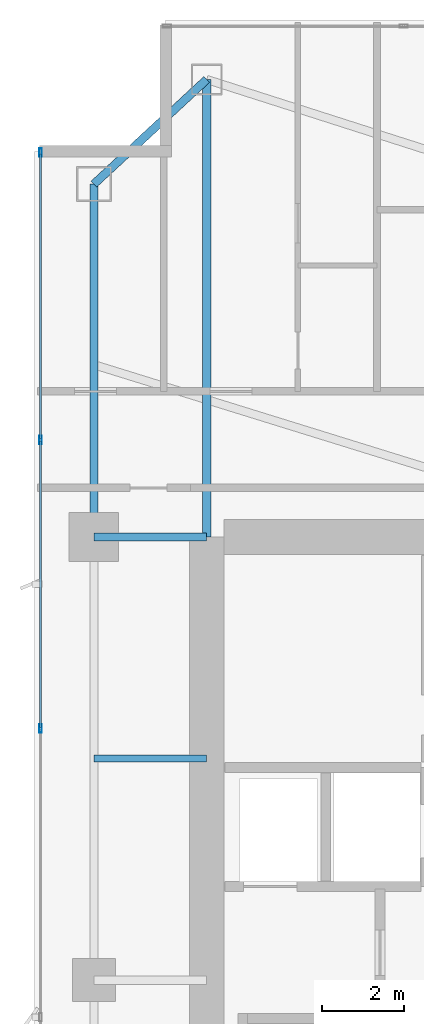
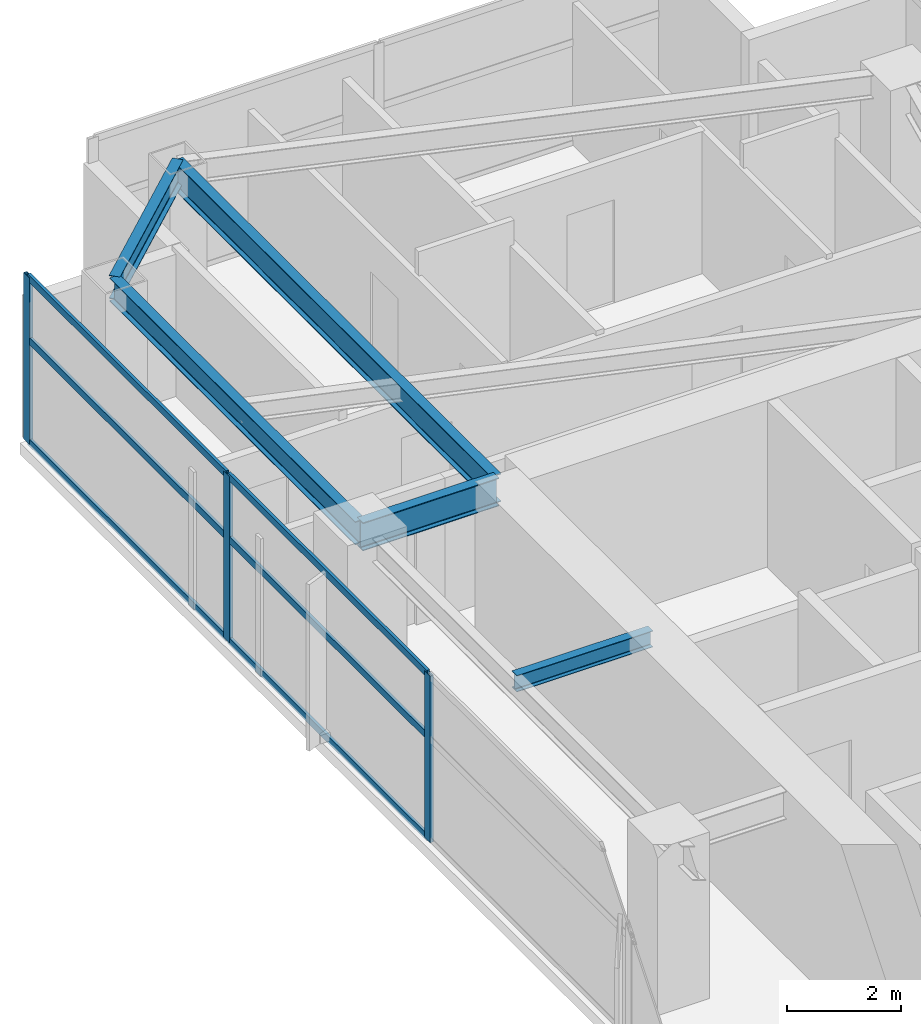
# One storey, part 16 of 29: 9 members, 5 beams, 1 element without a shape of its own.
"""IFC4 building model written with IfcOpenShell, lengths in metres."""

from ifc_helpers import new_model, si_unit, direction, frame, origin, origin_2d, place, context, subcontext, project, spatial, hollow_rectangle, i_section, extrude, material, layer, layer_set, material_profile, profile_set, type_object, element, aggregate, save


model = new_model("IFC4")

# Units and contexts
model_context = context("Model", 3, precision=1e-05, world=origin(), true_north=direction((0.0, 1.0)))
body_context = subcontext(model_context, "Body", "Model", "MODEL_VIEW")
ifc_project = project(units=[si_unit("LENGTHUNIT", "METRE"), si_unit("AREAUNIT", "SQUARE_METRE"), si_unit("VOLUMEUNIT", "CUBIC_METRE"), si_unit("PLANEANGLEUNIT", "RADIAN"), si_unit("MASSUNIT", "GRAM", prefix="KILO")], contexts=[model_context])

# Site, building, storey
site_placement = place(None, origin())
site = spatial("IfcSite", under=ifc_project, at=site_placement, CompositionType="ELEMENT")
building_placement = place(site_placement, origin())
building = spatial("IfcBuilding", under=site, at=building_placement, Name="Calvorn Quay Hotel", CompositionType="ELEMENT")
storey_placement = place(building_placement, frame((0.0, 0.0, 148.5)))
storey = spatial("IfcBuildingStorey", under=building, at=storey_placement, Name="L36", CompositionType="ELEMENT", Elevation=148.5)

# Beams
ifc_material_1 = material(Name="Steel Q355B", Category="steel")
ifc_material_profile_1 = material_profile(ifc_material_1, i_section(OverallWidth=0.199951171875, OverallDepth=0.60009765625, WebThickness=0.010986328125, FlangeThickness=0.01708984375, FilletRadius=0.01806640625, at=origin_2d()), Name="HN600x200x11x17")
ifc_profile_set_1 = profile_set([ifc_material_profile_1], Name="Steel Q355B")
beam_type_1 = type_object("IfcBeamType", Name="BM-GIRD-TYP", PredefinedType="BEAM", material=ifc_profile_set_1)
beam_1_placement = place(storey_placement, frame((1.449951171875, 38.39990234375, 3.239990234375), z_axis=(1.0, 0.0, 0.0), x_axis=(0.0, 1.0, 0.0)))
element("IfcBeam", 1, at=beam_1_placement, inside=storey, type_object=beam_type_1, Name="Beam BG-L36-W3", PredefinedType="BEAM", context=body_context, shape_type="SweptSolid", body=[
    extrude(i_section(OverallWidth=0.199951171875, OverallDepth=0.60009765625, WebThickness=0.010986328125, FlangeThickness=0.01708984375, FilletRadius=0.01806640625, at=origin_2d()), origin(), (0.0, 0.0, 1.0), 2.75),
])
beam_2_placement = place(storey_placement, frame((4.199951171875, 49.550048828125, 3.239990234375), z_axis=(0.0, -1.0, 0.0), x_axis=(1.0, 0.0, 0.0)))
element("IfcBeam", 2, at=beam_2_placement, inside=storey, type_object=beam_type_1, Name="Beam BG-L36-W5", PredefinedType="BEAM", context=body_context, shape_type="SweptSolid", body=[
    extrude(i_section(OverallWidth=0.199951171875, OverallDepth=0.60009765625, WebThickness=0.010986328125, FlangeThickness=0.01708984375, FilletRadius=0.01806640625, at=origin_2d()), origin(), (0.0, 0.0, 1.0), 11.150146484375),
])
ifc_material_2 = material(Name="Steel Q355B", Category="steel")
ifc_material_profile_2 = material_profile(ifc_material_2, i_section(OverallWidth=0.175048828125, OverallDepth=0.35009765625, WebThickness=0.007080078125, FlangeThickness=0.010986328125, FilletRadius=0.013916015625, at=origin_2d()), Name="HN350x175x7x11")
ifc_profile_set_2 = profile_set([ifc_material_profile_2], Name="Steel Q355B")
beam_type_2 = type_object("IfcBeamType", Name="BM-JOIST-SEC", PredefinedType="JOIST", material=ifc_profile_set_2)
beam_3_placement = place(storey_placement, frame((1.449951171875, 33.0, 3.364990234375), z_axis=(1.0, 0.0, 0.0), x_axis=(0.0, 1.0, 0.0)))
element("IfcBeam", 3, at=beam_3_placement, inside=storey, type_object=beam_type_2, Name="Beam BJ-L36-W4", PredefinedType="JOIST", context=body_context, shape_type="SweptSolid", body=[
    extrude(i_section(OverallWidth=0.175048828125, OverallDepth=0.35009765625, WebThickness=0.007080078125, FlangeThickness=0.010986328125, FilletRadius=0.013916015625, at=origin_2d()), origin(), (0.0, 0.0, 1.0), 2.75),
])
ifc_material_3 = material(Name="Steel Q355B", Category="steel")
ifc_material_profile_3 = material_profile(ifc_material_3, i_section(OverallWidth=0.199951171875, OverallDepth=0.5, WebThickness=0.010009765625, FlangeThickness=0.01611328125, FilletRadius=0.01611328125, at=origin_2d()), Name="HN500x200x10x16")
ifc_profile_set_3 = profile_set([ifc_material_profile_3], Name="Steel Q355B")
beam_type_3 = type_object("IfcBeamType", Name="BM-SPANDREL-Z1", PredefinedType="SPANDREL", material=ifc_profile_set_3)
beam_4_placement = place(storey_placement, frame((1.449951171875, 38.39990234375, 3.2900390625), z_axis=(0.0, 1.0, 0.0), x_axis=(-1.0, 0.0, 0.0)))
element("IfcBeam", 4, at=beam_4_placement, inside=storey, type_object=beam_type_3, Name="Beam BSP-L36-W4", PredefinedType="SPANDREL", context=body_context, shape_type="SweptSolid", body=[
    extrude(i_section(OverallWidth=0.199951171875, OverallDepth=0.5, WebThickness=0.010009765625, FlangeThickness=0.01611328125, FilletRadius=0.01611328125, at=origin_2d()), origin(), (0.0, 0.0, 1.0), 8.60009765625),
])
beam_5_placement = place(storey_placement, frame((1.449951171875, 47.0, 3.2900390625), z_axis=(0.733261665538, 0.679946563969, 0.0), x_axis=(-0.679946563969, 0.733261665538, 0.0)))
element("IfcBeam", 5, at=beam_5_placement, inside=storey, type_object=beam_type_3, Name="Beam BSP-L36-W5", PredefinedType="SPANDREL", context=body_context, shape_type="SweptSolid", body=[
    extrude(i_section(OverallWidth=0.199951171875, OverallDepth=0.5, WebThickness=0.010009765625, FlangeThickness=0.01611328125, FilletRadius=0.01611328125, at=origin_2d()), origin(), (0.0, 0.0, 1.0), 3.75048828125),
])

# Curtain wall, members
ifc_material_4 = material(Name="Pale Anodised Aluminium and Low-E Glass", Category="aluminium")
ifc_layer = layer(ifc_material_4, 0.219970703125)
ifc_layer_set = layer_set([ifc_layer], Name="CW-SYS-Z2")
curtain_wall_type = type_object("IfcCurtainWallType", Name="CW-SYS-Z2", PredefinedType="NOTDEFINED", material=ifc_layer_set)
curtain_wall_placement = place(storey_placement, origin())
curtain_wall = element("IfcCurtainWall", 6, at=curtain_wall_placement, inside=storey, type_object=curtain_wall_type, Name="Tower West Curtain Wall (L36)", PredefinedType="NOTDEFINED")
ifc_material_5 = material(Name="Pale Anodised Aluminium 6063-T6", Category="aluminium")
ifc_material_profile_4 = material_profile(ifc_material_5, hollow_rectangle(XDim=0.070068359375, YDim=0.199951171875, WallThickness=0.00390625, at=origin_2d()), Name="ALU-M200x70x4")
ifc_profile_set_4 = profile_set([ifc_material_profile_4], Name="Pale Anodised Aluminium 6063-T6")
member_type_1 = type_object("IfcMemberType", Name="CW-SYS-Z2-MUL", PredefinedType="MULLION", material=ifc_profile_set_4)
member_1_placement = place(storey_placement, frame((0.14990234375, 33.7333984375, 0.0), z_axis=(0.0, 0.0, 1.0), x_axis=(-1.0, 0.0, 0.0)))
member_1 = element("IfcMember", 7, at=member_1_placement, type_object=member_type_1, Name="CW-L36-W mullion 5", PredefinedType="MULLION", context=body_context, shape_type="SweptSolid", body=[
    extrude(hollow_rectangle(XDim=0.070068359375, YDim=0.199951171875, WallThickness=0.00390625, at=origin_2d()), origin(), (0.0, 0.0, 1.0), 3.56005859375),
])
member_2_placement = place(storey_placement, frame((0.14990234375, 40.7666015625, 0.0), z_axis=(0.0, 0.0, 1.0), x_axis=(-1.0, 0.0, 0.0)))
member_2 = element("IfcMember", 8, at=member_2_placement, type_object=member_type_1, Name="CW-L36-W mullion 6", PredefinedType="MULLION", context=body_context, shape_type="SweptSolid", body=[
    extrude(hollow_rectangle(XDim=0.070068359375, YDim=0.199951171875, WallThickness=0.00390625, at=origin_2d()), origin(), (0.0, 0.0, 1.0), 3.56005859375),
])
member_3_placement = place(storey_placement, frame((0.14990234375, 47.77001953125, 0.0), z_axis=(0.0, 0.0, 1.0), x_axis=(-1.0, 0.0, 0.0)))
member_3 = element("IfcMember", 9, at=member_3_placement, type_object=member_type_1, Name="CW-L36-W mullion 7", PredefinedType="MULLION", context=body_context, shape_type="SweptSolid", body=[
    extrude(hollow_rectangle(XDim=0.070068359375, YDim=0.199951171875, WallThickness=0.00390625, at=origin_2d()), origin(), (0.0, 0.0, 1.0), 3.56005859375),
])
ifc_material_6 = material(Name="Pale Anodised Aluminium 6063-T6", Category="aluminium")
ifc_material_profile_5 = material_profile(ifc_material_6, hollow_rectangle(XDim=0.06005859375, YDim=0.14990234375, WallThickness=0.00341796875, at=origin_2d()), Name="ALU-T150x60x3.5")
ifc_profile_set_5 = profile_set([ifc_material_profile_5], Name="Pale Anodised Aluminium 6063-T6")
member_type_2 = type_object("IfcMemberType", Name="CW-SYS-Z2-TRN", PredefinedType="USERDEFINED", material=ifc_profile_set_5)
member_4_placement = place(storey_placement, frame((0.14990234375, 33.763427734375, 0.030029296875), z_axis=(0.0, 1.0, 0.0), x_axis=(-1.0, 0.0, 0.0)))
member_4 = element("IfcMember", 10, at=member_4_placement, type_object=member_type_2, Name="CW-L36-W transom 5.1", ObjectType="TRANSOM", PredefinedType="USERDEFINED", context=body_context, shape_type="SweptSolid", body=[
    extrude(hollow_rectangle(XDim=0.06005859375, YDim=0.14990234375, WallThickness=0.00341796875, at=origin_2d()), origin(), (0.0, 0.0, 1.0), 6.97314453125),
])
member_5_placement = place(storey_placement, frame((0.14990234375, 33.763427734375, 2.199951171875), z_axis=(0.0, 1.0, 0.0), x_axis=(-1.0, 0.0, 0.0)))
member_5 = element("IfcMember", 11, at=member_5_placement, type_object=member_type_2, Name="CW-L36-W transom 5.2", ObjectType="TRANSOM", PredefinedType="USERDEFINED", context=body_context, shape_type="SweptSolid", body=[
    extrude(hollow_rectangle(XDim=0.06005859375, YDim=0.14990234375, WallThickness=0.00341796875, at=origin_2d()), origin(), (0.0, 0.0, 1.0), 6.97314453125),
])
member_6_placement = place(storey_placement, frame((0.14990234375, 33.763427734375, 3.530029296875), z_axis=(0.0, 1.0, 0.0), x_axis=(-1.0, 0.0, 0.0)))
member_6 = element("IfcMember", 12, at=member_6_placement, type_object=member_type_2, Name="CW-L36-W transom 5.3", ObjectType="TRANSOM", PredefinedType="USERDEFINED", context=body_context, shape_type="SweptSolid", body=[
    extrude(hollow_rectangle(XDim=0.06005859375, YDim=0.14990234375, WallThickness=0.00341796875, at=origin_2d()), origin(), (0.0, 0.0, 1.0), 6.97314453125),
])
member_7_placement = place(storey_placement, frame((0.14990234375, 40.796630859375, 0.030029296875), z_axis=(0.0, 1.0, 0.0), x_axis=(-1.0, 0.0, 0.0)))
member_7 = element("IfcMember", 13, at=member_7_placement, type_object=member_type_2, Name="CW-L36-W transom 6.1", ObjectType="TRANSOM", PredefinedType="USERDEFINED", context=body_context, shape_type="SweptSolid", body=[
    extrude(hollow_rectangle(XDim=0.06005859375, YDim=0.14990234375, WallThickness=0.00341796875, at=origin_2d()), origin(), (0.0, 0.0, 1.0), 6.943359375),
])
member_8_placement = place(storey_placement, frame((0.14990234375, 40.796630859375, 2.199951171875), z_axis=(0.0, 1.0, 0.0), x_axis=(-1.0, 0.0, 0.0)))
member_8 = element("IfcMember", 14, at=member_8_placement, type_object=member_type_2, Name="CW-L36-W transom 6.2", ObjectType="TRANSOM", PredefinedType="USERDEFINED", context=body_context, shape_type="SweptSolid", body=[
    extrude(hollow_rectangle(XDim=0.06005859375, YDim=0.14990234375, WallThickness=0.00341796875, at=origin_2d()), origin(), (0.0, 0.0, 1.0), 6.943359375),
])
member_9_placement = place(storey_placement, frame((0.14990234375, 40.796630859375, 3.530029296875), z_axis=(0.0, 1.0, 0.0), x_axis=(-1.0, 0.0, 0.0)))
member_9 = element("IfcMember", 15, at=member_9_placement, type_object=member_type_2, Name="CW-L36-W transom 6.3", ObjectType="TRANSOM", PredefinedType="USERDEFINED", context=body_context, shape_type="SweptSolid", body=[
    extrude(hollow_rectangle(XDim=0.06005859375, YDim=0.14990234375, WallThickness=0.00341796875, at=origin_2d()), origin(), (0.0, 0.0, 1.0), 6.943359375),
])
aggregate(curtain_wall, [member_1, member_2, member_3, member_4, member_5, member_6, member_7, member_8, member_9])

save(model, "model.ifc")
